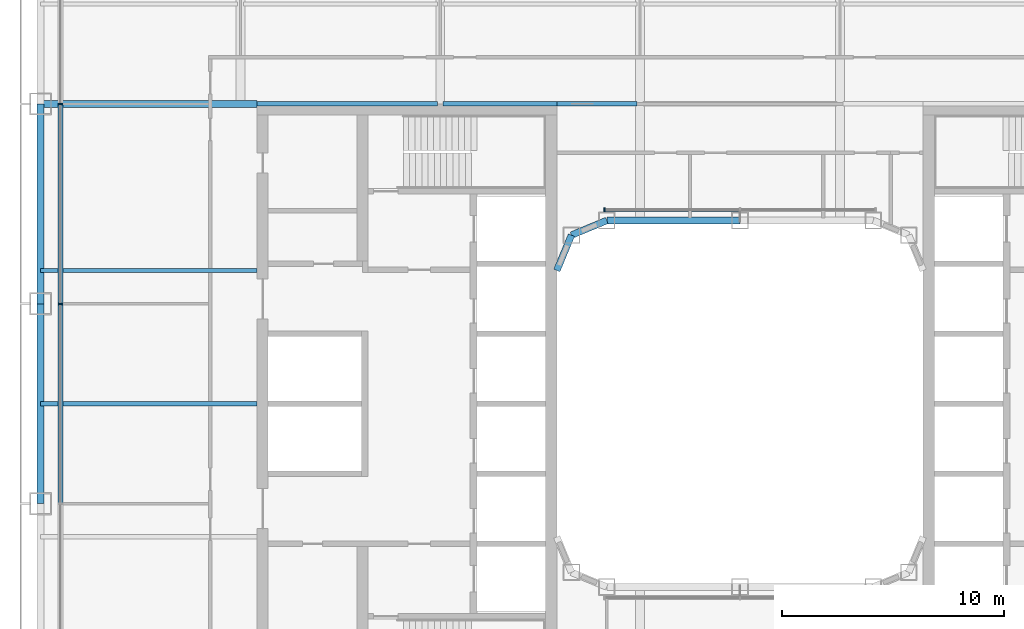
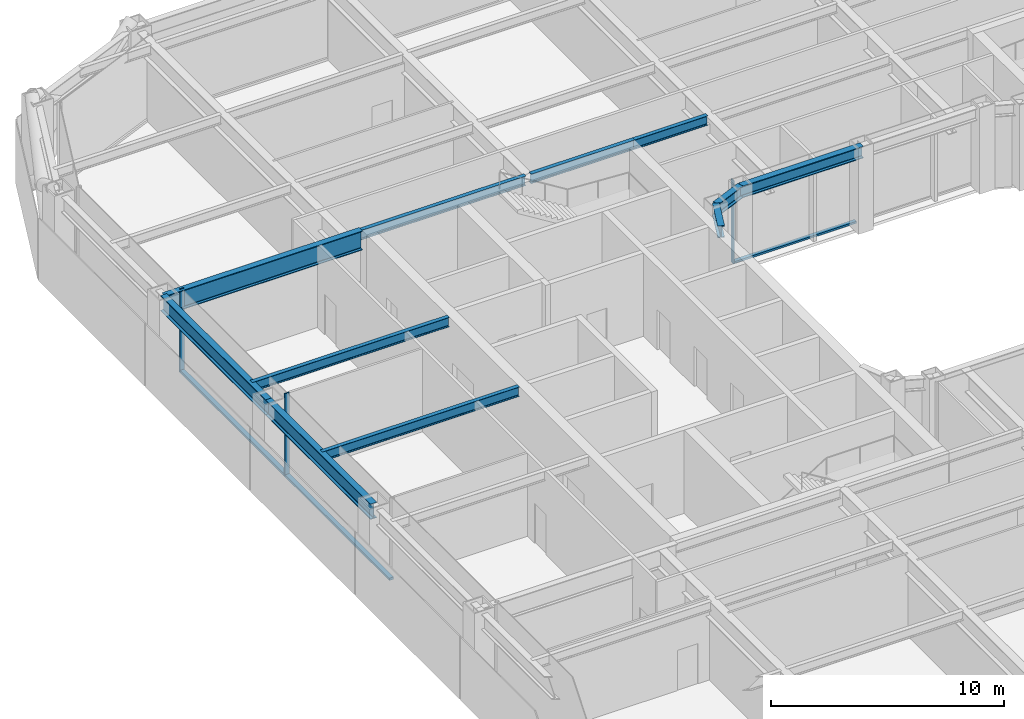
# One storey, part 6 of 25: 11 beams, 6 members, 2 elements without a shape of their own.
"""IFC4 building model written with IfcOpenShell, lengths in metres."""

import ifcopenshell
import ifcopenshell.guid

model = None  # the IFC model being written
_history = None  # IfcOwnerHistory: only IFC2X3 demands one
_inside = {}  # id of a spatial element -> (the spatial element, [elements in it])
_under = {}  # id of a project, library or spatial element -> (it, [spatial elements below it])
_declared = {}  # id of a project -> (the project, [libraries it declares])
_typed = {}  # id of a type object -> (the type object, [elements of that type])
_made_of = {}  # id of a material, layer set ... -> (it, [elements and type objects made of it])


def new_model(schema):
    """Start an empty IFC model of exactly this schema.

    Asked for "IFC4X3", IfcOpenShell would pick the latest addendum, in which some entities
    have other attributes; the version numbers below select the first issue.
    IFC2X3 requires an IfcOwnerHistory on every rooted entity: one is made here for all.
    """
    global model, _history
    if schema == "IFC4X3":
        model = ifcopenshell.file(schema_version=(4, 3, 0, 0))
    else:
        model = ifcopenshell.file(schema=schema)
    _inside.clear()
    _under.clear()
    _declared.clear()
    _typed.clear()
    _made_of.clear()
    _history = None
    if model.schema == "IFC2X3":
        org = make("IfcOrganization", Name="unknown")
        user = make(
            "IfcPersonAndOrganization",
            ThePerson=make("IfcPerson", FamilyName="unknown"),
            TheOrganization=org,
        )
        app = make(
            "IfcApplication",
            ApplicationDeveloper=org,
            Version="unknown",
            ApplicationFullName="unknown",
            ApplicationIdentifier="unknown",
        )
        _history = make(
            "IfcOwnerHistory",
            OwningUser=user,
            OwningApplication=app,
            ChangeAction="ADDED",
            CreationDate=0,
        )
    return model


def make(cls, **values):
    """One entity of the class cls with the attributes given. An attribute that is None is left unset."""
    return model.create_entity(
        cls, **{name: value for name, value in values.items() if value is not None}
    )


def rooted(cls, **values):
    """An entity with a GlobalId (a new one), such as an element, a storey or a relation."""
    return make(cls, GlobalId=ifcopenshell.guid.new(), OwnerHistory=_history, **values)


def si_unit(unit_type, name, prefix=None):
    """IfcSIUnit, for example si_unit("LENGTHUNIT", "METRE", prefix="MILLI")."""
    return make("IfcSIUnit", UnitType=unit_type, Prefix=prefix, Name=name)


def assignment(units):
    """IfcUnitAssignment: the units of a project."""
    return None if units is None else make("IfcUnitAssignment", Units=units)


def point(xyz):
    """IfcCartesianPoint."""
    return None if xyz is None else make("IfcCartesianPoint", Coordinates=xyz)


def direction(xyz):
    """IfcDirection."""
    return None if xyz is None else make("IfcDirection", DirectionRatios=xyz)


def frame(location, z_axis=None, x_axis=None):
    """IfcAxis2Placement3D, a coordinate frame: its origin and axes. An axis left out is left unset."""
    return make(
        "IfcAxis2Placement3D",
        Location=point(location),
        Axis=direction(z_axis),
        RefDirection=direction(x_axis),
    )


def frame_2d(location, x_axis=None):
    """IfcAxis2Placement2D, a coordinate frame in the plane: its origin and x axis."""
    return make(
        "IfcAxis2Placement2D", Location=point(location), RefDirection=direction(x_axis)
    )


def origin():
    """The frame at (0, 0, 0) with its axes left unset."""
    return frame((0.0, 0.0, 0.0))


def origin_2d():
    """The frame at (0, 0) in the plane with its x axis left unset."""
    return frame_2d((0.0, 0.0))


def place(relative_to, where):
    """IfcLocalPlacement: puts the frame where relative to a parent placement (None: the world)."""
    return make(
        "IfcLocalPlacement", PlacementRelTo=relative_to, RelativePlacement=where
    )


def context(
    kind, dimensions, precision=None, world=None, true_north=None, identifier=None
):
    """IfcGeometricRepresentationContext, for example the 3D "Model" context."""
    return make(
        "IfcGeometricRepresentationContext",
        ContextIdentifier=identifier,
        ContextType=kind,
        CoordinateSpaceDimension=dimensions,
        Precision=precision,
        WorldCoordinateSystem=world,
        TrueNorth=true_north,
    )


def subcontext(parent, identifier, kind, view, scale=None):
    """IfcGeometricRepresentationSubContext, for example "Body" below "Model"."""
    return make(
        "IfcGeometricRepresentationSubContext",
        ContextIdentifier=identifier,
        ContextType=kind,
        ParentContext=parent,
        TargetScale=scale,
        TargetView=view,
    )


def project(units=None, contexts=None):
    """IfcProject with its units and contexts."""
    return rooted(
        "IfcProject",
        Name="project",
        RepresentationContexts=contexts,
        UnitsInContext=assignment(units),
    )


def spatial(cls, under=None, at=None, **own):
    """A site, building, storey or space (cls), placed at a placement, below another one or the project."""
    s = rooted(cls, ObjectPlacement=at, **own)
    if under is not None:
        _under.setdefault(under.id(), (under, []))[1].append(s)
    return s


def profile(cls, at=None, kind="AREA", **sizes):
    """A parametric profile (cls). Its sizes go by their IFC names, for example OverallWidth=200.0."""
    return make(cls, ProfileType=kind, Position=at, **sizes)


def rectangle(**sizes):
    """IfcRectangleProfileDef."""
    return profile("IfcRectangleProfileDef", **sizes)


def i_section(**sizes):
    """IfcIShapeProfileDef."""
    return profile("IfcIShapeProfileDef", **sizes)


def extrude(swept, where, along, depth):
    """IfcExtrudedAreaSolid: the profile swept, set in the frame where, extruded along a direction by depth."""
    return make(
        "IfcExtrudedAreaSolid",
        SweptArea=swept,
        Position=where,
        ExtrudedDirection=direction(along),
        Depth=depth,
    )


def shape(context_of_items, identifier, shape_type, items):
    """IfcShapeRepresentation: the items that make up one representation, for example the "Body"."""
    return make(
        "IfcShapeRepresentation",
        ContextOfItems=context_of_items,
        RepresentationIdentifier=identifier,
        RepresentationType=shape_type,
        Items=items,
    )


def material(Name=None, Category=None):
    """IfcMaterial."""
    return make("IfcMaterial", Name=Name, Category=Category)


def layer(
    of_material, thickness, ventilated=None, Name=None, Category=None, Priority=None
):
    """IfcMaterialLayer: one layer of a wall or slab, of a material (None: an air gap)."""
    return make(
        "IfcMaterialLayer",
        Material=of_material,
        LayerThickness=thickness,
        IsVentilated=ventilated,
        Name=Name,
        Category=Category,
        Priority=Priority,
    )


def layer_set(layers, Name=None):
    """IfcMaterialLayerSet."""
    return make("IfcMaterialLayerSet", MaterialLayers=layers, LayerSetName=Name)


def material_profile(
    of_material, cross_section, Name=None, Category=None, Priority=None
):
    """IfcMaterialProfile: a cross section and its material."""
    return make(
        "IfcMaterialProfile",
        Name=Name,
        Material=of_material,
        Profile=cross_section,
        Priority=Priority,
        Category=Category,
    )


def profile_set(profiles, Name=None, composite=None):
    """IfcMaterialProfileSet."""
    return make(
        "IfcMaterialProfileSet",
        Name=Name,
        MaterialProfiles=profiles,
        CompositeProfile=composite,
    )


def made_of(thing, what):
    """Note that an element or type object is made of a material, layer set ...; save() writes the relation."""
    if what is not None:
        _made_of.setdefault(what.id(), (what, []))[1].append(thing)
    return thing


def type_object(cls, material=None, **own):
    """A type object (cls), such as IfcWallType, which elements share."""
    return made_of(rooted(cls, **own), material)


def element(
    cls,
    number,
    at=None,
    inside=None,
    cuts=None,
    type_object=None,
    material=None,
    context=None,
    identifier="Body",
    shape_type=None,
    held_by="IfcProductDefinitionShape",
    body=None,
    shapes=None,
    **own,
):
    """One element of the class cls, such as IfcWall. Its Tag is "e" and its number.

    at: its placement. inside: the storey or other place that contains it. cuts: it is an
    opening in that element (IfcRelVoidsElement). A single representation is given by context,
    identifier, shape_type and body (its items); several are given by shapes. held_by: the class
    of the entity that holds the representations. save() writes the other relations.
    """
    e = rooted(cls, Tag="e%d" % number, ObjectPlacement=at, **own)
    if body is not None:
        shapes = [shape(context, identifier, shape_type, body)]
    if shapes is not None:
        e.Representation = make(held_by, Representations=shapes)
    if inside is not None:
        _inside.setdefault(inside.id(), (inside, []))[1].append(e)
    if cuts is not None:
        rooted(
            "IfcRelVoidsElement", RelatingBuildingElement=cuts, RelatedOpeningElement=e
        )
    if type_object is not None:
        _typed.setdefault(type_object.id(), (type_object, []))[1].append(e)
    return made_of(e, material)


def aggregate(whole, parts):
    """IfcRelAggregates: a whole, such as a stair, and the parts it consists of."""
    return rooted("IfcRelAggregates", RelatingObject=whole, RelatedObjects=parts)


def save(model, path):
    """Write the relations noted so far, then the file.

    IfcRelAggregates (storeys below a building ...), IfcRelContainedInSpatialStructure (elements
    in a storey), IfcRelDefinesByType, IfcRelAssociatesMaterial and IfcRelDeclares: one each for
    every whole, place, type object, material and project.
    """
    for whole, parts in _under.values():
        aggregate(whole, parts)
    for where, things in _inside.values():
        rooted(
            "IfcRelContainedInSpatialStructure",
            RelatedElements=things,
            RelatingStructure=where,
        )
    for kind, things in _typed.values():
        rooted("IfcRelDefinesByType", RelatedObjects=things, RelatingType=kind)
    for what, things in _made_of.values():
        rooted("IfcRelAssociatesMaterial", RelatedObjects=things, RelatingMaterial=what)
    for by, libraries in _declared.values():
        rooted("IfcRelDeclares", RelatingContext=by, RelatedDefinitions=libraries)
    model.write(path)


model = new_model("IFC4")

# Units and contexts
model_context = context("Model", 3, precision=1e-05, world=origin(), true_north=direction((0.0, 1.0)))
body_context = subcontext(model_context, "Body", "Model", "MODEL_VIEW")
ifc_project = project(units=[si_unit("LENGTHUNIT", "METRE"), si_unit("AREAUNIT", "SQUARE_METRE"), si_unit("VOLUMEUNIT", "CUBIC_METRE"), si_unit("PLANEANGLEUNIT", "RADIAN"), si_unit("MASSUNIT", "GRAM", prefix="KILO")], contexts=[model_context])

# Site, building, storey
site_placement = place(None, origin())
site = spatial("IfcSite", under=ifc_project, at=site_placement, CompositionType="ELEMENT")
building_placement = place(site_placement, origin())
building = spatial("IfcBuilding", under=site, at=building_placement, Name="Siwar Civic Tower", CompositionType="ELEMENT")
storey_placement = place(building_placement, frame((0.0, 0.0, 58.199951171875)))
storey = spatial("IfcBuildingStorey", under=building, at=storey_placement, Name="L12", CompositionType="ELEMENT", Elevation=58.199951171875)

# Curtain wall, members
ifc_material_1 = material(Name="Aluminium and glass", Category="aluminium")
ifc_layer_1 = layer(ifc_material_1, 0.219970703125)
ifc_layer_set_1 = layer_set([ifc_layer_1], Name="Aluminium and glass")
curtain_wall_type_1 = type_object("IfcCurtainWallType", Name="ENV-CW-A", PredefinedType="NOTDEFINED", material=ifc_layer_set_1)
curtain_wall_1_placement = place(storey_placement, origin())
curtain_wall_1 = element("IfcCurtainWall", 1, at=curtain_wall_1_placement, inside=storey, type_object=curtain_wall_type_1, Name="Curtain wall A W", PredefinedType="NOTDEFINED")
ifc_material_2 = material(Name="Aluminium 6063-T6", Category="aluminium")
ifc_material_profile_1 = material_profile(ifc_material_2, rectangle(XDim=0.219970703125, YDim=0.070068359375, at=origin_2d()), Name="AL 220x70")
ifc_profile_set_1 = profile_set([ifc_material_profile_1], Name="Aluminium 6063-T6")
member_type_1 = type_object("IfcMemberType", Name="ENV-MULLION-A", PredefinedType="MULLION", material=ifc_profile_set_1)
member_1_placement = place(storey_placement, frame((-30.60009765625, 13.5, 0.0), z_axis=(0.0, 0.0, 1.0), x_axis=(1.0, 0.0, 0.0)))
member_1 = element("IfcMember", 2, at=member_1_placement, type_object=member_type_1, Name="Mullion A W 2", PredefinedType="MULLION", context=body_context, shape_type="SweptSolid", body=[
    extrude(rectangle(XDim=0.219970703125, YDim=0.070068359375, at=origin_2d()), origin(), (0.0, 0.0, 1.0), 4.35009765625),
])
member_2_placement = place(storey_placement, frame((-30.60009765625, 4.5, 0.0), z_axis=(0.0, 0.0, 1.0), x_axis=(1.0, 0.0, 0.0)))
member_2 = element("IfcMember", 3, at=member_2_placement, type_object=member_type_1, Name="Mullion A W 3", PredefinedType="MULLION", context=body_context, shape_type="SweptSolid", body=[
    extrude(rectangle(XDim=0.219970703125, YDim=0.070068359375, at=origin_2d()), origin(), (0.0, 0.0, 1.0), 4.35009765625),
])

# Curtain wall, member
ifc_material_3 = material(Name="Aluminium and glass", Category="aluminium")
ifc_layer_2 = layer(ifc_material_3, 0.179931640625)
ifc_layer_set_2 = layer_set([ifc_layer_2], Name="Aluminium and glass")
curtain_wall_type_2 = type_object("IfcCurtainWallType", Name="ENV-CW-W", PredefinedType="NOTDEFINED", material=ifc_layer_set_2)
curtain_wall_2_placement = place(storey_placement, origin())
curtain_wall_2 = element("IfcCurtainWall", 4, at=curtain_wall_2_placement, inside=storey, type_object=curtain_wall_type_2, Name="Curtain wall W WN", PredefinedType="NOTDEFINED")
ifc_material_4 = material(Name="Aluminium 6063-T6", Category="aluminium")
ifc_material_profile_2 = material_profile(ifc_material_4, rectangle(XDim=0.179931640625, YDim=0.06005859375, at=origin_2d()), Name="AL 180x60")
ifc_profile_set_2 = profile_set([ifc_material_profile_2], Name="Aluminium 6063-T6")
member_type_2 = type_object("IfcMemberType", Name="ENV-MULLION-W", PredefinedType="MULLION", material=ifc_profile_set_2)
member_3_placement = place(storey_placement, frame((-6.096435546875, 8.735107421875, 0.0), z_axis=(0.0, 0.0, 1.0), x_axis=(0.0, -1.0, 0.0)))
member_3 = element("IfcMember", 5, at=member_3_placement, type_object=member_type_2, Name="Mullion W WN 3", PredefinedType="MULLION", context=body_context, shape_type="SweptSolid", body=[
    extrude(rectangle(XDim=0.179931640625, YDim=0.06005859375, at=origin_2d()), origin(), (0.0, 0.0, 1.0), 4.35009765625),
])

# Member
ifc_material_5 = material(Name="Aluminium 6063-T6", Category="aluminium")
ifc_material_profile_3 = material_profile(ifc_material_5, rectangle(XDim=0.219970703125, YDim=0.1201171875, at=origin_2d()), Name="AL 220x120")
ifc_profile_set_3 = profile_set([ifc_material_profile_3], Name="Aluminium 6063-T6")
member_type_3 = type_object("IfcMemberType", Name="ENV-TRANSOM-A", PredefinedType="USERDEFINED", material=ifc_profile_set_3)
member_4_placement = place(storey_placement, frame((-30.60009765625, 13.465087890625, 0.06005859375), z_axis=(0.0, -1.0, 0.0), x_axis=(1.0, 0.0, 0.0)))
member_4 = element("IfcMember", 6, at=member_4_placement, type_object=member_type_3, Name="Transom A W 2", ObjectType="TRANSOM", PredefinedType="USERDEFINED", context=body_context, shape_type="SweptSolid", body=[
    extrude(rectangle(XDim=0.219970703125, YDim=0.1201171875, at=origin_2d()), origin(), (0.0, 0.0, 1.0), 8.93017578125),
])

member_5_placement = place(storey_placement, frame((-30.60009765625, 4.465087890625, 0.06005859375), z_axis=(0.0, -1.0, 0.0), x_axis=(1.0, 0.0, 0.0)))
member_5 = element("IfcMember", 7, at=member_5_placement, type_object=member_type_3, Name="Transom A W 3", ObjectType="TRANSOM", PredefinedType="USERDEFINED", context=body_context, shape_type="SweptSolid", body=[
    extrude(rectangle(XDim=0.219970703125, YDim=0.1201171875, at=origin_2d()), origin(), (0.0, 0.0, 1.0), 8.93017578125),
])

aggregate(curtain_wall_1, [member_1, member_2, member_4, member_5])

ifc_material_6 = material(Name="Aluminium 6063-T6", Category="aluminium")
ifc_material_profile_4 = material_profile(ifc_material_6, rectangle(XDim=0.179931640625, YDim=0.10009765625, at=origin_2d()), Name="AL 180x100")
ifc_profile_set_4 = profile_set([ifc_material_profile_4], Name="Aluminium 6063-T6")
member_type_4 = type_object("IfcMemberType", Name="ENV-TRANSOM-W", PredefinedType="USERDEFINED", material=ifc_profile_set_4)
member_6_placement = place(storey_placement, frame((-0.030029296875, 8.735107421875, 0.050048828125), z_axis=(-1.0, 0.0, 0.0), x_axis=(0.0, -1.0, 0.0)))
member_6 = element("IfcMember", 8, at=member_6_placement, type_object=member_type_4, Name="Transom W WN 2", ObjectType="TRANSOM", PredefinedType="USERDEFINED", context=body_context, shape_type="SweptSolid", body=[
    extrude(rectangle(XDim=0.179931640625, YDim=0.10009765625, at=origin_2d()), origin(), (0.0, 0.0, 1.0), 6.036376953125),
])

aggregate(curtain_wall_2, [member_3, member_6])

# Beams
ifc_material_7 = material(Name="Steel S355", Category="steel")
ifc_material_profile_5 = material_profile(ifc_material_7, i_section(OverallWidth=0.199951171875, OverallDepth=0.5, WebThickness=0.01025390625, FlangeThickness=0.01611328125, FilletRadius=0.02099609375, at=origin_2d()), Name="IPE500")
ifc_profile_set_5 = profile_set([ifc_material_profile_5], Name="Steel S355")
beam_type_1 = type_object("IfcBeamType", Name="STR-FB-IPE500", PredefinedType="JOIST", material=ifc_profile_set_5)
for number, where, z_axis, x_axis, name in (
    (9, (-31.5, 0.0, 4.10009765625), (1.0, 0.0, 0.0), (0.0, 1.0, 0.0), "L12/bm/F033"),
    (10, (-31.5, 6.0, 4.10009765625), (1.0, 0.0, 0.0), (0.0, 1.0, 0.0), "L12/bm/F035"),
):
    element("IfcBeam", number, at=place(storey_placement, frame(where, z_axis=z_axis, x_axis=x_axis)), inside=storey, type_object=beam_type_1, Name=name, PredefinedType="JOIST", context=body_context, shape_type="SweptSolid", body=[
        extrude(i_section(OverallWidth=0.199951171875, OverallDepth=0.5, WebThickness=0.01025390625, FlangeThickness=0.01611328125, FilletRadius=0.02099609375, at=origin_2d()), origin(), (0.0, 0.0, 1.0), 9.75),
    ])
beam_1_placement = place(storey_placement, frame((-21.75, 13.5, 4.10009765625), z_axis=(1.0, 0.0, 0.0), x_axis=(0.0, 1.0, 0.0)))
element("IfcBeam", 11, at=beam_1_placement, inside=storey, type_object=beam_type_1, Name="L12/bm/F038", PredefinedType="JOIST", context=body_context, shape_type="SweptSolid", body=[
    extrude(i_section(OverallWidth=0.199951171875, OverallDepth=0.5, WebThickness=0.01025390625, FlangeThickness=0.01611328125, FilletRadius=0.02099609375, at=origin_2d()), origin(), (0.0, 0.0, 1.0), 8.1201171875),
])
beam_2_placement = place(storey_placement, frame((-13.3701171875, 13.5, 4.10009765625), z_axis=(1.0, 0.0, 0.0), x_axis=(0.0, 1.0, 0.0)))
element("IfcBeam", 12, at=beam_2_placement, inside=storey, type_object=beam_type_1, Name="L12/bm/F039", PredefinedType="JOIST", context=body_context, shape_type="SweptSolid", body=[
    extrude(i_section(OverallWidth=0.199951171875, OverallDepth=0.5, WebThickness=0.01025390625, FlangeThickness=0.01611328125, FilletRadius=0.02099609375, at=origin_2d()), origin(), (0.0, 0.0, 1.0), 5.1201171875),
])
beam_3_placement = place(storey_placement, frame((-8.25, 13.5, 4.10009765625), z_axis=(1.0, 0.0, 0.0), x_axis=(0.0, 1.0, 0.0)))
element("IfcBeam", 13, at=beam_3_placement, inside=storey, type_object=beam_type_1, Name="L12/bm/F040", PredefinedType="JOIST", context=body_context, shape_type="SweptSolid", body=[
    extrude(i_section(OverallWidth=0.199951171875, OverallDepth=0.5, WebThickness=0.01025390625, FlangeThickness=0.01611328125, FilletRadius=0.02099609375, at=origin_2d()), origin(), (0.0, 0.0, 1.0), 3.6201171875),
])
ifc_material_8 = material(Name="Steel S355", Category="steel")
ifc_material_profile_6 = material_profile(ifc_material_8, i_section(OverallWidth=0.300048828125, OverallDepth=1.0, WebThickness=0.01904296875, FlangeThickness=0.035888671875, FilletRadius=0.030029296875, at=origin_2d()), Name="HEB1000")
ifc_profile_set_6 = profile_set([ifc_material_profile_6], Name="Steel S355")
beam_type_2 = type_object("IfcBeamType", Name="STR-PG-HEB1000", PredefinedType="BEAM", material=ifc_profile_set_6)
beam_4_placement = place(storey_placement, frame((-31.5, 13.5, 3.85009765625), z_axis=(1.0, 0.0, 0.0), x_axis=(0.0, 1.0, 0.0)))
element("IfcBeam", 14, at=beam_4_placement, inside=storey, type_object=beam_type_2, Name="L12/bm/F037", PredefinedType="BEAM", context=body_context, shape_type="SweptSolid", body=[
    extrude(i_section(OverallWidth=0.300048828125, OverallDepth=1.0, WebThickness=0.01904296875, FlangeThickness=0.035888671875, FilletRadius=0.030029296875, at=origin_2d()), origin(), (0.0, 0.0, 1.0), 9.75),
])
ifc_material_9 = material(Name="Steel S355", Category="steel")
ifc_material_profile_7 = material_profile(ifc_material_9, i_section(OverallWidth=0.304931640625, OverallDepth=0.6201171875, WebThickness=0.02099609375, FlangeThickness=0.0400390625, FilletRadius=0.027099609375, at=origin_2d()), Name="HEM600")
ifc_profile_set_7 = profile_set([ifc_material_profile_7], Name="Steel S355")
beam_type_3 = type_object("IfcBeamType", Name="STR-RB-HEM600", PredefinedType="BEAM", material=ifc_profile_set_7)
beam_5_placement = place(storey_placement, frame((-7.591064453125, 7.591064453125, 4.0400390625), z_axis=(0.923901072997, 0.382631424892, 0.0), x_axis=(-0.382631424892, 0.923901072997, 0.0)))
element("IfcBeam", 15, at=beam_5_placement, inside=storey, type_object=beam_type_3, Name="L12/bm/RN0", PredefinedType="BEAM", context=body_context, shape_type="SweptSolid", body=[
    extrude(i_section(OverallWidth=0.304931640625, OverallDepth=0.6201171875, WebThickness=0.02099609375, FlangeThickness=0.0400390625, FilletRadius=0.027099609375, at=origin_2d()), origin(), (0.0, 0.0, 1.0), 1.72216796875),
])
beam_6_placement = place(storey_placement, frame((-6.0, 8.25, 4.0400390625), z_axis=(1.0, 0.0, 0.0), x_axis=(0.0, 1.0, 0.0)))
element("IfcBeam", 16, at=beam_6_placement, inside=storey, type_object=beam_type_3, Name="L12/bm/RN1", PredefinedType="BEAM", context=body_context, shape_type="SweptSolid", body=[
    extrude(i_section(OverallWidth=0.304931640625, OverallDepth=0.6201171875, WebThickness=0.02099609375, FlangeThickness=0.0400390625, FilletRadius=0.027099609375, at=origin_2d()), origin(), (0.0, 0.0, 1.0), 6.0),
])
beam_7_placement = place(storey_placement, frame((-7.591064453125, 7.591064453125, 4.0400390625), z_axis=(-0.382631424892, -0.923901072997, 0.0), x_axis=(0.923901072997, -0.382631424892, 0.0)))
element("IfcBeam", 17, at=beam_7_placement, inside=storey, type_object=beam_type_3, Name="L12/bm/RNEW", PredefinedType="BEAM", context=body_context, shape_type="SweptSolid", body=[
    extrude(i_section(OverallWidth=0.304931640625, OverallDepth=0.6201171875, WebThickness=0.02099609375, FlangeThickness=0.0400390625, FilletRadius=0.027099609375, at=origin_2d()), origin(), (0.0, 0.0, 1.0), 1.72216796875),
])
ifc_material_10 = material(Name="Steel S355", Category="steel")
ifc_material_profile_8 = material_profile(ifc_material_10, i_section(OverallWidth=0.302978515625, OverallDepth=0.81396484375, WebThickness=0.02099609375, FlangeThickness=0.0400390625, FilletRadius=0.030029296875, at=origin_2d()), Name="HEM800")
ifc_profile_set_8 = profile_set([ifc_material_profile_8], Name="Steel S355")
beam_type_4 = type_object("IfcBeamType", Name="STR-SB-HEM800", PredefinedType="BEAM", material=ifc_profile_set_8)
for number, where, z_axis, x_axis, name in (
    (18, (-31.5, 13.5, 3.943115234375), (0.0, -1.0, 0.0), (1.0, 0.0, 0.0), "L12/bm/SW-1"),
    (19, (-31.5, 4.5, 3.943115234375), (0.0, -1.0, 0.0), (1.0, 0.0, 0.0), "L12/bm/SW-2"),
):
    element("IfcBeam", number, at=place(storey_placement, frame(where, z_axis=z_axis, x_axis=x_axis)), inside=storey, type_object=beam_type_4, Name=name, PredefinedType="BEAM", context=body_context, shape_type="SweptSolid", body=[
        extrude(i_section(OverallWidth=0.302978515625, OverallDepth=0.81396484375, WebThickness=0.02099609375, FlangeThickness=0.0400390625, FilletRadius=0.030029296875, at=origin_2d()), origin(), (0.0, 0.0, 1.0), 9.0),
    ])

save(model, "model.ifc")
